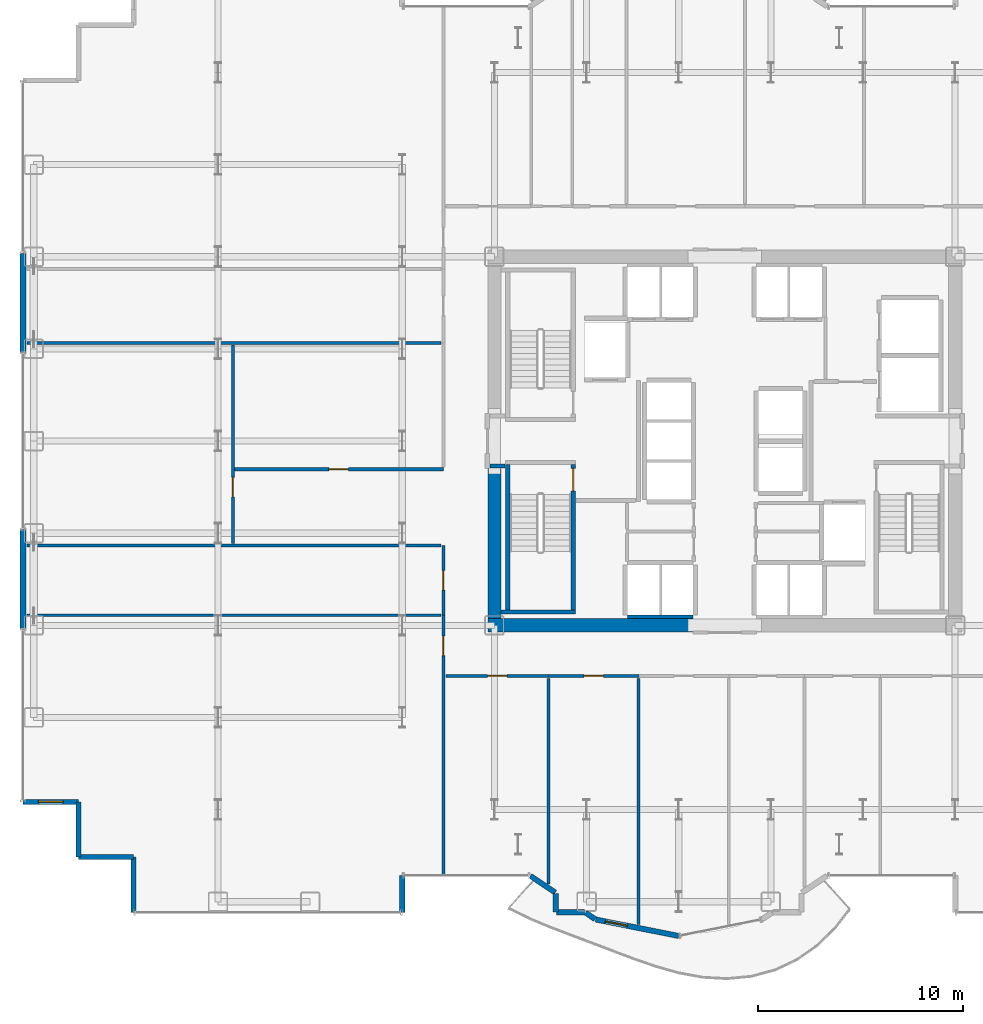
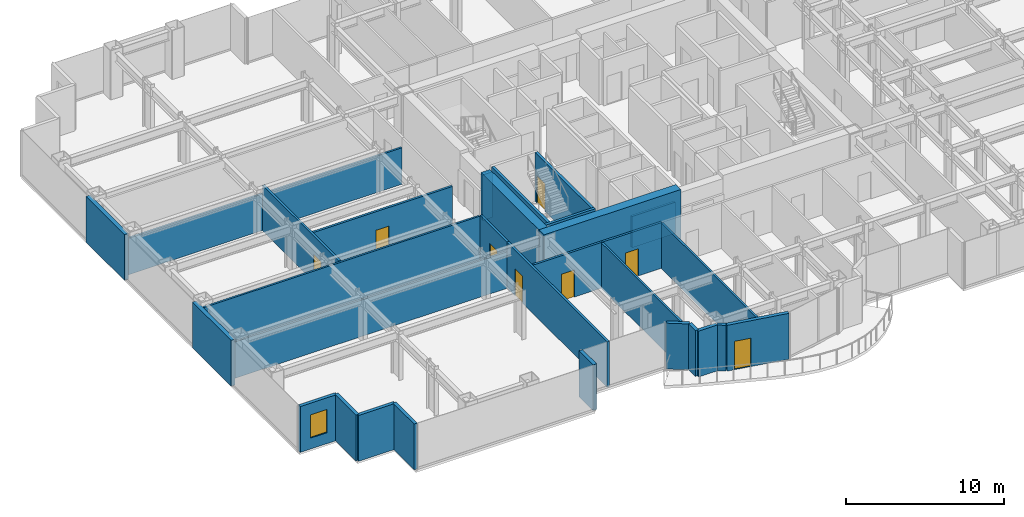
# One storey, part 22 of 29: 30 walls, 8 doors, 1 window, 9 openings.
"""IFC4 building model written with IfcOpenShell, lengths in metres."""

from ifc_helpers import new_model, si_unit, direction, frame, frame_2d, origin, place, context, subcontext, project, spatial, rectangle, extrude, source, transform, mapped, material, layer, layer_set, type_object, element, fill, save


model = new_model("IFC4")

# Units and contexts
model_context = context("Model", 3, precision=1e-05, world=origin(), true_north=direction((0.0, 1.0)))
body_context = subcontext(model_context, "Body", "Model", "MODEL_VIEW")
ifc_project = project(units=[si_unit("LENGTHUNIT", "METRE"), si_unit("AREAUNIT", "SQUARE_METRE"), si_unit("VOLUMEUNIT", "CUBIC_METRE"), si_unit("PLANEANGLEUNIT", "RADIAN"), si_unit("MASSUNIT", "GRAM", prefix="KILO")], contexts=[model_context])

# Site, building, storey
site_placement = place(None, origin())
site = spatial("IfcSite", under=ifc_project, at=site_placement, CompositionType="ELEMENT")
building_placement = place(site_placement, origin())
building = spatial("IfcBuilding", under=site, at=building_placement, Name="Nefas-Gora Pilgrimage Tower", CompositionType="ELEMENT")
storey_placement = place(building_placement, frame((0.0, 0.0, 44.39990234375)))
storey = spatial("IfcBuildingStorey", under=building, at=storey_placement, Name="L09", CompositionType="ELEMENT", Elevation=44.39990234375)

# Walls
ifc_material_1 = material(Name="Concrete C60/75", Category="concrete")
ifc_layer_1 = layer(ifc_material_1, 0.64990234375)
ifc_layer_set_1 = layer_set([ifc_layer_1], Name="Concrete C60/75")
wall_type_1 = type_object("IfcWallType", Name="SW-CORE-650", PredefinedType="SHEAR", material=ifc_layer_set_1)
shared_shape_1 = source(origin(), body_context, "Body", "SweptSolid", [
    extrude(rectangle(XDim=10.02490234375, YDim=0.64990234375, at=frame_2d((5.012451171875, 0.0))), origin(), (0.0, 0.0, 1.0), 3.800048828125),
])
wall_1_placement = place(storey_placement, frame((-11.574951171875, -9.0, 0.0), z_axis=(0.0, 0.0, 1.0), x_axis=(1.0, 0.0, 0.0)))
element("IfcWall", 1, at=wall_1_placement, inside=storey, type_object=wall_type_1, Name="L09 Core Shear Wall S-West", PredefinedType="SHEAR", context=body_context, shape_type="MappedRepresentation", body=[
    mapped(shared_shape_1, transform((0.0, 0.0, 0.0), x_axis=(1.0, 0.0, 0.0), y_axis=(0.0, 1.0, 0.0), z_axis=(0.0, 0.0, 1.0), scale=1.0)),
])
shared_shape_2 = source(origin(), body_context, "Body", "SweptSolid", [
    extrude(rectangle(XDim=7.324951171875, YDim=0.64990234375, at=frame_2d((3.66259765625, 0.0))), origin(), (0.0, 0.0, 1.0), 3.800048828125),
])
wall_2_placement = place(storey_placement, frame((-11.25, -8.675048828125, 0.0), z_axis=(0.0, 0.0, 1.0), x_axis=(0.0, 1.0, 0.0)))
element("IfcWall", 2, at=wall_2_placement, inside=storey, type_object=wall_type_1, Name="L09 Core Shear Wall W-South", PredefinedType="SHEAR", context=body_context, shape_type="MappedRepresentation", body=[
    mapped(shared_shape_2, transform((0.0, 0.0, 0.0), x_axis=(1.0, 0.0, 0.0), y_axis=(0.0, 1.0, 0.0), z_axis=(0.0, 0.0, 1.0), scale=1.0)),
])
ifc_material_2 = material(Name="Precast concrete C45/55", Category="concrete")
ifc_layer_2 = layer(ifc_material_2, 0.239990234375)
ifc_layer_set_2 = layer_set([ifc_layer_2], Name="Precast concrete C45/55")
wall_type_2 = type_object("IfcWallType", Name="EW-SERR-240", PredefinedType="SHEAR", material=ifc_layer_set_2)
shared_shape_3 = source(origin(), body_context, "Body", "SweptSolid", [
    extrude(rectangle(XDim=4.8798828125, YDim=0.300048828125, at=frame_2d((2.43994140625, 0.0))), origin(), (0.0, 0.0, 1.0), 3.550048828125),
])
for number, where, z_axis, x_axis, name in (
    (3, (-34.27001953125, -9.18994140625, 0.0), (0.0, 0.0, 1.0), (0.0, 1.0, 0.0), "L09 Braced-Tube Precast Shear Cladding 1"),
    (4, (-34.27001953125, 4.31005859375, 0.0), (0.0, 0.0, 1.0), (0.0, 1.0, 0.0), "L09 Braced-Tube Precast Shear Cladding 2"),
):
    element("IfcWall", number, at=place(storey_placement, frame(where, z_axis=z_axis, x_axis=x_axis)), inside=storey, type_object=wall_type_2, Name=name, PredefinedType="SHEAR", context=body_context, shape_type="MappedRepresentation", body=[
        mapped(shared_shape_3, transform((0.0, 0.0, 0.0), x_axis=(1.0, 0.0, 0.0), y_axis=(0.0, 1.0, 0.0), z_axis=(0.0, 0.0, 1.0), scale=1.0)),
    ])
ifc_material_3 = material(Name="Precast concrete C40/50", Category="concrete")
ifc_layer_3 = layer(ifc_material_3, 0.260009765625)
ifc_layer_set_3 = layer_set([ifc_layer_3], Name="Precast concrete C40/50")
wall_type_3 = type_object("IfcWallType", Name="EW-PORTAL-260", PredefinedType="SOLIDWALL", material=ifc_layer_set_3)
shared_shape_4 = source(origin(), body_context, "Body", "SweptSolid", [
    extrude(rectangle(XDim=1.800048828125, YDim=0.260009765625, at=frame_2d((0.89990234375, 0.0))), origin(), (0.0, 0.0, 1.0), 3.550048828125),
])
wall_3_placement = place(storey_placement, frame((-15.75, -23.02001953125, 0.0), z_axis=(0.0, 0.0, 1.0), x_axis=(0.0, 1.0, 0.0)))
element("IfcWall", 5, at=wall_3_placement, inside=storey, type_object=wall_type_3, Name="L09 Lobe Shoulder Precast Spandrel Pier 33", PredefinedType="SOLIDWALL", context=body_context, shape_type="MappedRepresentation", body=[
    mapped(shared_shape_4, transform((0.0, 0.0, 0.0), x_axis=(1.0, 0.0, 0.0), y_axis=(0.0, 1.0, 0.0), z_axis=(0.0, 0.0, 1.0), scale=1.0)),
])

# Wall, opening, window
shared_shape_5 = source(origin(), body_context, "Body", "SweptSolid", [
    extrude(rectangle(XDim=2.699951171875, YDim=0.239990234375, at=frame_2d((1.35009765625, 0.0))), origin(), (0.0, 0.0, 1.0), 3.550048828125),
])
wall_4_placement = place(storey_placement, frame((-34.27001953125, -17.6201171875, 0.0), z_axis=(0.0, 0.0, 1.0), x_axis=(1.0, 0.0, 0.0)))
wall_4 = element("IfcWall", 6, at=wall_4_placement, inside=storey, type_object=wall_type_2, Name="L09 Serrated Corner Shear Pier Wall 29", PredefinedType="SHEAR", context=body_context, shape_type="MappedRepresentation", body=[
    mapped(shared_shape_5, transform((0.0, 0.0, 0.0), x_axis=(1.0, 0.0, 0.0), y_axis=(0.0, 1.0, 0.0), z_axis=(0.0, 0.0, 1.0), scale=1.0)),
])
opening_1_placement = place(wall_4_placement, frame((0.75, 0.0, 0.85009765625)))
opening_1 = element("IfcOpeningElement", 7, at=opening_1_placement, cuts=wall_4, Name="Opening W-V1", PredefinedType="OPENING", context=body_context, shape_type="SweptSolid", body=[
    extrude(rectangle(XDim=1.199951171875, YDim=1.800048828125, at=frame_2d((0.60009765625, 0.89990234375))), frame((0.0, 0.1298828125, 0.0), z_axis=(0.0, -1.0, 0.0), x_axis=(1.0, 0.0, 0.0)), (0.0, 0.0, 1.0), 0.260009765625),
])
ifc_material_4 = material(Name="Dark ceramic-fritted operable aluminium-glass window", Category="aluminium")
window_type = type_object("IfcWindowType", Name="WIN-VENT-1200x1800", PartitioningType="SINGLE_PANEL", PredefinedType="WINDOW", material=ifc_material_4)
shared_shape_6 = source(origin(), body_context, "Body", "SweptSolid", [
    extrude(rectangle(XDim=1.199951171875, YDim=1.800048828125, at=frame_2d((0.60009765625, 0.89990234375))), frame((0.0, 0.030029296875, 0.0), z_axis=(0.0, -1.0, 0.0), x_axis=(1.0, 0.0, 0.0)), (0.0, 0.0, 1.0), 0.06005859375),
])
window_placement = place(opening_1_placement, origin())
window = element("IfcWindow", 8, at=window_placement, inside=storey, type_object=window_type, Name="L09 Operable Parallel-Outswing Window 29", OverallHeight=1.800048828125, OverallWidth=1.199951171875, PartitioningType="SINGLE_PANEL", PredefinedType="WINDOW", context=body_context, shape_type="MappedRepresentation", body=[
    mapped(shared_shape_6, transform((0.0, 0.0, 0.0), x_axis=(1.0, 0.0, 0.0), y_axis=(0.0, 1.0, 0.0), z_axis=(0.0, 0.0, 1.0), scale=1.0)),
])
fill(opening_1, window)

# Walls
for number, where, z_axis, x_axis, name in (
    (9, (-31.570068359375, -17.6201171875, 0.0), (0.0, 0.0, 1.0), (0.0, -1.0, 0.0), "L09 Serrated Corner Shear Pier Wall 30"),
    (10, (-31.570068359375, -20.320068359375, 0.0), (0.0, 0.0, 1.0), (1.0, 0.0, 0.0), "L09 Serrated Corner Shear Pier Wall 31"),
    (11, (-28.8701171875, -20.320068359375, 0.0), (0.0, 0.0, 1.0), (0.0, -1.0, 0.0), "L09 Serrated Corner Shear Pier Wall 32"),
):
    element("IfcWall", number, at=place(storey_placement, frame(where, z_axis=z_axis, x_axis=x_axis)), inside=storey, type_object=wall_type_2, Name=name, PredefinedType="SHEAR", context=body_context, shape_type="MappedRepresentation", body=[
        mapped(shared_shape_5, transform((0.0, 0.0, 0.0), x_axis=(1.0, 0.0, 0.0), y_axis=(0.0, 1.0, 0.0), z_axis=(0.0, 0.0, 1.0), scale=1.0)),
    ])
shared_shape_7 = source(origin(), body_context, "Body", "SweptSolid", [
    extrude(rectangle(XDim=1.468994140625, YDim=0.260009765625, at=frame_2d((0.734375, 0.0))), origin(), (0.0, 0.0, 1.0), 3.550048828125),
])
wall_5_placement = place(storey_placement, frame((-9.49462890625, -21.235595703125, 0.0), z_axis=(0.0, 0.0, 1.0), x_axis=(0.831461760506, -0.555581983884, 0.0)))
element("IfcWall", 12, at=wall_5_placement, inside=storey, type_object=wall_type_3, Name="L09 Lobe Shoulder Precast Spandrel Pier 34", PredefinedType="SOLIDWALL", context=body_context, shape_type="MappedRepresentation", body=[
    mapped(shared_shape_7, transform((0.0, 0.0, 0.0), x_axis=(1.0, 0.0, 0.0), y_axis=(0.0, 1.0, 0.0), z_axis=(0.0, 0.0, 1.0), scale=1.0)),
])
shared_shape_8 = source(origin(), body_context, "Body", "SweptSolid", [
    extrude(rectangle(XDim=0.896728515625, YDim=0.260009765625, at=frame_2d((0.4482421875, 0.0))), origin(), (0.0, 0.0, 1.0), 3.550048828125),
])
wall_6_placement = place(storey_placement, frame((-8.25, -22.09521484375, 0.0), z_axis=(0.0, 0.0, 1.0), x_axis=(0.0, -1.0, 0.0)))
element("IfcWall", 13, at=wall_6_placement, inside=storey, type_object=wall_type_3, Name="L09 Lobe Shoulder Precast Spandrel Pier 35", PredefinedType="SOLIDWALL", context=body_context, shape_type="MappedRepresentation", body=[
    mapped(shared_shape_8, transform((0.0, 0.0, 0.0), x_axis=(1.0, 0.0, 0.0), y_axis=(0.0, 1.0, 0.0), z_axis=(0.0, 0.0, 1.0), scale=1.0)),
])
shared_shape_9 = source(origin(), body_context, "Body", "SweptSolid", [
    extrude(rectangle(XDim=1.369873046875, YDim=0.260009765625, at=frame_2d((0.68505859375, 0.0))), origin(), (0.0, 0.0, 1.0), 3.550048828125),
])
wall_7_placement = place(storey_placement, frame((-8.221923828125, -23.02001953125, 0.0), z_axis=(0.0, 0.0, 1.0), x_axis=(1.0, 0.0, 0.0)))
element("IfcWall", 14, at=wall_7_placement, inside=storey, type_object=wall_type_3, Name="L09 Lobe Shoulder Precast Spandrel Pier 36", PredefinedType="SOLIDWALL", context=body_context, shape_type="MappedRepresentation", body=[
    mapped(shared_shape_9, transform((0.0, 0.0, 0.0), x_axis=(1.0, 0.0, 0.0), y_axis=(0.0, 1.0, 0.0), z_axis=(0.0, 0.0, 1.0), scale=1.0)),
])
shared_shape_10 = source(origin(), body_context, "Body", "SweptSolid", [
    extrude(rectangle(XDim=0.5654296875, YDim=0.260009765625, at=frame_2d((0.28271484375, 0.0))), origin(), (0.0, 0.0, 1.0), 3.550048828125),
])
wall_8_placement = place(storey_placement, frame((-6.80078125, -23.03564453125, 0.0), z_axis=(0.0, 0.0, 1.0), x_axis=(0.831651492666, -0.555297933317, 0.0)))
element("IfcWall", 15, at=wall_8_placement, inside=storey, type_object=wall_type_3, Name="L09 Lobe Shoulder Precast Spandrel Pier 37", PredefinedType="SOLIDWALL", context=body_context, shape_type="MappedRepresentation", body=[
    mapped(shared_shape_10, transform((0.0, 0.0, 0.0), x_axis=(1.0, 0.0, 0.0), y_axis=(0.0, 1.0, 0.0), z_axis=(0.0, 0.0, 1.0), scale=1.0)),
])

# Wall, opening, door
shared_shape_11 = source(origin(), body_context, "Body", "SweptSolid", [
    extrude(rectangle(XDim=4.136962890625, YDim=0.260009765625, at=frame_2d((2.068359375, 0.0))), origin(), (0.0, 0.0, 1.0), 3.550048828125),
])
wall_9_placement = place(storey_placement, frame((-6.307373046875, -23.365234375, 0.0), z_axis=(0.0, 0.0, 1.0), x_axis=(0.980782170794, -0.195105954428, 0.0)))
wall_9 = element("IfcWall", 16, at=wall_9_placement, inside=storey, type_object=wall_type_3, Name="L09 Insulated Terrace Portal Wall 38", PredefinedType="SOLIDWALL", context=body_context, shape_type="MappedRepresentation", body=[
    mapped(shared_shape_11, transform((0.0, 0.0, 0.0), x_axis=(1.0, 0.0, 0.0), y_axis=(0.0, 1.0, 0.0), z_axis=(0.0, 0.0, 1.0), scale=1.0)),
])
opening_2_placement = place(wall_9_placement, frame((0.48779296875, 0.0, 0.0)))
opening_2 = element("IfcOpeningElement", 17, at=opening_2_placement, cuts=wall_9, Name="Opening ED-B1", PredefinedType="OPENING", context=body_context, shape_type="SweptSolid", body=[
    extrude(rectangle(XDim=1.10009765625, YDim=2.199951171875, at=frame_2d((0.550048828125, 1.10009765625))), frame((0.0, 0.139892578125, 0.0), z_axis=(0.0, -1.0, 0.0), x_axis=(1.0, 0.0, 0.0)), (0.0, 0.0, 1.0), 0.280029296875),
])
ifc_material_5 = material(Name="Thermally broken glazed aluminium balcony door", Category="aluminium")
door_type_1 = type_object("IfcDoorType", Name="DR-EXT-BAL-1100", OperationType="NOTDEFINED", PredefinedType="DOOR", material=ifc_material_5)
shared_shape_12 = source(origin(), body_context, "Body", "SweptSolid", [
    extrude(rectangle(XDim=1.10009765625, YDim=2.199951171875, at=frame_2d((0.550048828125, 1.10009765625))), frame((0.0, 0.02490234375, 0.0), z_axis=(0.0, -1.0, 0.0), x_axis=(1.0, 0.0, 0.0)), (0.0, 0.0, 1.0), 0.050048828125),
])
door_1_placement = place(opening_2_placement, origin())
door_1 = element("IfcDoor", 18, at=door_1_placement, inside=storey, type_object=door_type_1, Name="L09 Exterior Door (L09 S Lobe Wave Balcony)", OperationType="SINGLE_SWING_RIGHT", OverallHeight=2.199951171875, OverallWidth=1.10009765625, PredefinedType="DOOR", context=body_context, shape_type="MappedRepresentation", body=[
    mapped(shared_shape_12, transform((0.0, 0.0, 0.0), x_axis=(1.0, 0.0, 0.0), y_axis=(0.0, 1.0, 0.0), z_axis=(0.0, 0.0, 1.0), scale=1.0)),
])
fill(opening_2, door_1)

# Walls
ifc_material_6 = material(Name="Concrete C45/55", Category="concrete")
ifc_layer_4 = layer(ifc_material_6, 0.199951171875)
ifc_layer_set_4 = layer_set([ifc_layer_4], Name="Concrete C45/55")
wall_type_4 = type_object("IfcWallType", Name="IW-STAIR-200", PredefinedType="SOLIDWALL", material=ifc_layer_set_4)
shared_shape_13 = source(origin(), body_context, "Body", "SweptSolid", [
    extrude(rectangle(XDim=3.6298828125, YDim=0.199951171875, at=frame_2d((1.81494140625, 0.0))), origin(), (0.0, 0.0, 1.0), 3.800048828125),
])
wall_10_placement = place(storey_placement, frame((-10.929931640625, -8.35009765625, 0.0), z_axis=(0.0, 0.0, 1.0), x_axis=(1.0, 0.0, 0.0)))
element("IfcWall", 19, at=wall_10_placement, inside=storey, type_object=wall_type_4, Name="L09 Stairwell Shear Wall ST-03-far", PredefinedType="SOLIDWALL", context=body_context, shape_type="MappedRepresentation", body=[
    mapped(shared_shape_13, transform((0.0, 0.0, 0.0), x_axis=(1.0, 0.0, 0.0), y_axis=(0.0, 1.0, 0.0), z_axis=(0.0, 0.0, 1.0), scale=1.0)),
])
shared_shape_14 = source(origin(), body_context, "Body", "SweptSolid", [
    extrude(rectangle(XDim=7.10009765625, YDim=0.199951171875, at=frame_2d((3.550048828125, 0.0))), origin(), (0.0, 0.0, 1.0), 3.800048828125),
])
wall_11_placement = place(storey_placement, frame((-10.60009765625, -1.14990234375, 0.0), z_axis=(0.0, 0.0, 1.0), x_axis=(0.0, -1.0, 0.0)))
element("IfcWall", 20, at=wall_11_placement, inside=storey, type_object=wall_type_4, Name="L09 Stairwell Shear Wall ST-03-left", PredefinedType="SOLIDWALL", context=body_context, shape_type="MappedRepresentation", body=[
    mapped(shared_shape_14, transform((0.0, 0.0, 0.0), x_axis=(1.0, 0.0, 0.0), y_axis=(0.0, 1.0, 0.0), z_axis=(0.0, 0.0, 1.0), scale=1.0)),
])

# Wall, opening, door
wall_12_placement = place(storey_placement, frame((-7.39990234375, -1.14990234375, 0.0), z_axis=(0.0, 0.0, 1.0), x_axis=(0.0, -1.0, 0.0)))
wall_12 = element("IfcWall", 21, at=wall_12_placement, inside=storey, type_object=wall_type_4, Name="L09 Stairwell Shear Wall ST-03-right", PredefinedType="SOLIDWALL", context=body_context, shape_type="MappedRepresentation", body=[
    mapped(shared_shape_14, transform((0.0, 0.0, 0.0), x_axis=(1.0, 0.0, 0.0), y_axis=(0.0, 1.0, 0.0), z_axis=(0.0, 0.0, 1.0), scale=1.0)),
])
opening_3_placement = place(wall_12_placement, frame((0.179931640625, 0.0, 0.0)))
opening_3 = element("IfcOpeningElement", 22, at=opening_3_placement, cuts=wall_12, Name="Opening ID-ST1", PredefinedType="OPENING", context=body_context, shape_type="SweptSolid", body=[
    extrude(rectangle(XDim=1.10009765625, YDim=2.14990234375, at=frame_2d((0.550048828125, 1.074951171875))), frame((0.0, 0.10986328125, 0.0), z_axis=(0.0, -1.0, 0.0), x_axis=(1.0, 0.0, 0.0)), (0.0, 0.0, 1.0), 0.219970703125),
])
ifc_material_7 = material(Name="Painted galvanised steel fire stair door", Category="steel")
door_type_2 = type_object("IfcDoorType", Name="DR-INT-STAIR-1100", OperationType="NOTDEFINED", PredefinedType="DOOR", material=ifc_material_7)
shared_shape_15 = source(origin(), body_context, "Body", "SweptSolid", [
    extrude(rectangle(XDim=1.10009765625, YDim=2.14990234375, at=frame_2d((0.550048828125, 1.074951171875))), frame((0.0, 0.02490234375, 0.0), z_axis=(0.0, -1.0, 0.0), x_axis=(1.0, 0.0, 0.0)), (0.0, 0.0, 1.0), 0.050048828125),
])
door_2_placement = place(opening_3_placement, origin())
door_2 = element("IfcDoor", 23, at=door_2_placement, inside=storey, type_object=door_type_2, Name="L09 Protected Exit Stair Door ST-03", OperationType="SINGLE_SWING_LEFT", OverallHeight=2.14990234375, OverallWidth=1.10009765625, PredefinedType="DOOR", context=body_context, shape_type="MappedRepresentation", body=[
    mapped(shared_shape_15, transform((0.0, 0.0, 0.0), x_axis=(1.0, 0.0, 0.0), y_axis=(0.0, 1.0, 0.0), z_axis=(0.0, 0.0, 1.0), scale=1.0)),
])
fill(opening_3, door_2)

# Walls
ifc_material_8 = material(Name="Gypsum acoustic stud partition")
ifc_layer_5 = layer(ifc_material_8, 0.159912109375)
ifc_layer_set_5 = layer_set([ifc_layer_5], Name="Gypsum acoustic stud partition")
wall_type_5 = type_object("IfcWallType", Name="IW-CORR-160", PredefinedType="PARTITIONING", material=ifc_layer_set_5)
shared_shape_16 = source(origin(), body_context, "Body", "SweptSolid", [
    extrude(rectangle(XDim=3.199951171875, YDim=0.159912109375, at=frame_2d((1.60009765625, 0.0))), origin(), (0.0, 0.0, 1.0), 2.425048828125),
])
wall_13_placement = place(storey_placement, frame((-4.75, -8.580078125, 0.0), z_axis=(0.0, 0.0, 1.0), x_axis=(1.0, 0.0, 0.0)))
element("IfcWall", 24, at=wall_13_placement, inside=storey, type_object=wall_type_5, Name="L09 Hoistway Wall PL2-W-S", PredefinedType="PARTITIONING", context=body_context, shape_type="MappedRepresentation", body=[
    mapped(shared_shape_16, transform((0.0, 0.0, 0.0), x_axis=(1.0, 0.0, 0.0), y_axis=(0.0, 1.0, 0.0), z_axis=(0.0, 0.0, 1.0), scale=1.0)),
])
ifc_material_9 = material(Name="Gypsum fire-rated shaftwall")
ifc_layer_6 = layer(ifc_material_9, 0.199951171875)
ifc_layer_set_6 = layer_set([ifc_layer_6], Name="Gypsum fire-rated shaftwall")
wall_type_6 = type_object("IfcWallType", Name="IW-FFLOB-200", PredefinedType="PARTITIONING", material=ifc_layer_set_6)
shared_shape_17 = source(origin(), body_context, "Body", "SweptSolid", [
    extrude(rectangle(XDim=0.719970703125, YDim=0.199951171875, at=frame_2d((0.35986328125, 0.0))), origin(), (0.0, 0.0, 1.0), 3.53515625),
])
wall_14_placement = place(storey_placement, frame((-11.4599609375, -1.219970703125, 0.0), z_axis=(0.0, 0.0, 1.0), x_axis=(1.0, 0.0, 0.0)))
element("IfcWall", 25, at=wall_14_placement, inside=storey, type_object=wall_type_6, Name="L09 FF Lobby West Throat S Wall 7", PredefinedType="PARTITIONING", context=body_context, shape_type="MappedRepresentation", body=[
    mapped(shared_shape_17, transform((0.0, 0.0, 0.0), x_axis=(1.0, 0.0, 0.0), y_axis=(0.0, 1.0, 0.0), z_axis=(0.0, 0.0, 1.0), scale=1.0)),
])

# Wall, opening, door
shared_shape_18 = source(origin(), body_context, "Body", "SweptSolid", [
    extrude(rectangle(XDim=12.744873046875, YDim=0.159912109375, at=frame_2d((6.37255859375, 0.0))), origin(), (0.0, 0.0, 1.0), 3.53515625),
])
wall_15_placement = place(storey_placement, frame((-13.739990234375, -21.239990234375, 0.0), z_axis=(0.0, 0.0, 1.0), x_axis=(0.0, 1.0, 0.0)))
wall_15 = element("IfcWall", 26, at=wall_15_placement, inside=storey, type_object=wall_type_5, Name="L09 Pilgrim Tea and Beverage Pantry Partition Wall 28", PredefinedType="PARTITIONING", context=body_context, shape_type="MappedRepresentation", body=[
    mapped(shared_shape_18, transform((0.0, 0.0, 0.0), x_axis=(1.0, 0.0, 0.0), y_axis=(0.0, 1.0, 0.0), z_axis=(0.0, 0.0, 1.0), scale=1.0)),
])
opening_4_placement = place(wall_15_placement, frame((10.762451171875, 0.0, 0.0)))
opening_4 = element("IfcOpeningElement", 27, at=opening_4_placement, cuts=wall_15, Name="Opening ID-GR1", PredefinedType="OPENING", context=body_context, shape_type="SweptSolid", body=[
    extrude(rectangle(XDim=0.949951171875, YDim=2.10009765625, at=frame_2d((0.47509765625, 1.050048828125))), frame((0.0, 0.08984375, 0.0), z_axis=(0.0, -1.0, 0.0), x_axis=(1.0, 0.0, 0.0)), (0.0, 0.0, 1.0), 0.179931640625),
])
ifc_material_10 = material(Name="Solid core oak fire-rated guest entrance door")
door_type_3 = type_object("IfcDoorType", Name="DR-INT-GUEST-950", OperationType="NOTDEFINED", PredefinedType="DOOR", material=ifc_material_10)
shared_shape_19 = source(origin(), body_context, "Body", "SweptSolid", [
    extrude(rectangle(XDim=0.949951171875, YDim=2.10009765625, at=frame_2d((0.47509765625, 1.050048828125))), frame((0.0, 0.02490234375, 0.0), z_axis=(0.0, -1.0, 0.0), x_axis=(1.0, 0.0, 0.0)), (0.0, 0.0, 1.0), 0.050048828125),
])
door_3_placement = place(opening_4_placement, origin())
door_3 = element("IfcDoor", 28, at=door_3_placement, inside=storey, type_object=door_type_3, Name="L09 Pilgrim Tea and Beverage Pantry Door 11", OperationType="SINGLE_SWING_RIGHT", OverallHeight=2.10009765625, OverallWidth=0.949951171875, PredefinedType="DOOR", context=body_context, shape_type="MappedRepresentation", body=[
    mapped(shared_shape_19, transform((0.0, 0.0, 0.0), x_axis=(1.0, 0.0, 0.0), y_axis=(0.0, 1.0, 0.0), z_axis=(0.0, 0.0, 1.0), scale=1.0)),
])
fill(opening_4, door_3)

# Wall
ifc_material_11 = material(Name="Gypsum twin-stud partition")
ifc_layer_7 = layer(ifc_material_11, 0.139892578125)
ifc_layer_set_7 = layer_set([ifc_layer_7], Name="Gypsum twin-stud partition")
wall_type_7 = type_object("IfcWallType", Name="IW-UNIT-140", PredefinedType="PARTITIONING", material=ifc_layer_set_7)
shared_shape_20 = source(origin(), body_context, "Body", "SweptSolid", [
    extrude(rectangle(XDim=20.219970703125, YDim=0.139892578125, at=frame_2d((10.10986328125, 0.0))), origin(), (0.0, 0.0, 1.0), 2.8251953125),
])
wall_16_placement = place(storey_placement, frame((-34.080078125, -8.5048828125, 0.0), z_axis=(0.0, 0.0, 1.0), x_axis=(1.0, 0.0, 0.0)))
element("IfcWall", 29, at=wall_16_placement, inside=storey, type_object=wall_type_7, Name="L09 Pilgrim Tea and Beverage Pantry Partition Wall 29", PredefinedType="PARTITIONING", context=body_context, shape_type="MappedRepresentation", body=[
    mapped(shared_shape_20, transform((0.0, 0.0, 0.0), x_axis=(1.0, 0.0, 0.0), y_axis=(0.0, 1.0, 0.0), z_axis=(0.0, 0.0, 1.0), scale=1.0)),
])

# Wall, opening, door
shared_shape_21 = source(origin(), body_context, "Body", "SweptSolid", [
    extrude(rectangle(XDim=3.409912109375, YDim=0.159912109375, at=frame_2d((1.705078125, 0.0))), origin(), (0.0, 0.0, 1.0), 3.53515625),
])
wall_17_placement = place(storey_placement, frame((-13.739990234375, -8.5048828125, 0.0), z_axis=(0.0, 0.0, 1.0), x_axis=(0.0, 1.0, 0.0)))
wall_17 = element("IfcWall", 30, at=wall_17_placement, inside=storey, type_object=wall_type_5, Name="L09 Pilgrim Fellowship Seminar Room Partition Wall 30", PredefinedType="PARTITIONING", context=body_context, shape_type="MappedRepresentation", body=[
    mapped(shared_shape_21, transform((0.0, 0.0, 0.0), x_axis=(1.0, 0.0, 0.0), y_axis=(0.0, 1.0, 0.0), z_axis=(0.0, 0.0, 1.0), scale=1.0)),
])
opening_5_placement = place(wall_17_placement, frame((1.22998046875, 0.0, 0.0)))
opening_5 = element("IfcOpeningElement", 31, at=opening_5_placement, cuts=wall_17, Name="Opening ID-GR1", PredefinedType="OPENING", context=body_context, shape_type="SweptSolid", body=[
    extrude(rectangle(XDim=0.949951171875, YDim=2.10009765625, at=frame_2d((0.47509765625, 1.050048828125))), frame((0.0, 0.08984375, 0.0), z_axis=(0.0, -1.0, 0.0), x_axis=(1.0, 0.0, 0.0)), (0.0, 0.0, 1.0), 0.179931640625),
])
door_4_placement = place(opening_5_placement, origin())
door_4 = element("IfcDoor", 32, at=door_4_placement, inside=storey, type_object=door_type_3, Name="L09 Pilgrim Fellowship Seminar Room Door 12", OperationType="SINGLE_SWING_LEFT", OverallHeight=2.10009765625, OverallWidth=0.949951171875, PredefinedType="DOOR", context=body_context, shape_type="MappedRepresentation", body=[
    mapped(shared_shape_19, transform((0.0, 0.0, 0.0), x_axis=(1.0, 0.0, 0.0), y_axis=(0.0, 1.0, 0.0), z_axis=(0.0, 0.0, 1.0), scale=1.0)),
])
fill(opening_5, door_4)

# Wall
shared_shape_22 = source(origin(), body_context, "Body", "SweptSolid", [
    extrude(rectangle(XDim=20.219970703125, YDim=0.139892578125, at=frame_2d((10.10986328125, 0.0))), origin(), (0.0, 0.0, 1.0), 3.53515625),
])
wall_18_placement = place(storey_placement, frame((-34.080078125, -5.10498046875, 0.0), z_axis=(0.0, 0.0, 1.0), x_axis=(1.0, 0.0, 0.0)))
element("IfcWall", 33, at=wall_18_placement, inside=storey, type_object=wall_type_7, Name="L09 Pilgrim Fellowship Seminar Room Partition Wall 31", PredefinedType="PARTITIONING", context=body_context, shape_type="MappedRepresentation", body=[
    mapped(shared_shape_22, transform((0.0, 0.0, 0.0), x_axis=(1.0, 0.0, 0.0), y_axis=(0.0, 1.0, 0.0), z_axis=(0.0, 0.0, 1.0), scale=1.0)),
])

# Wall, opening, door
shared_shape_23 = source(origin(), body_context, "Body", "SweptSolid", [
    extrude(rectangle(XDim=10.25, YDim=0.159912109375, at=frame_2d((5.125, 0.0))), origin(), (0.0, 0.0, 1.0), 3.53515625),
])
wall_19_placement = place(storey_placement, frame((-23.97998046875, -1.3798828125, 0.0), z_axis=(0.0, 0.0, 1.0), x_axis=(1.0, 0.0, 0.0)))
wall_19 = element("IfcWall", 34, at=wall_19_placement, inside=storey, type_object=wall_type_5, Name="L09 Pilgrim Fellowship Seminar Room Partition Wall 32", PredefinedType="PARTITIONING", context=body_context, shape_type="MappedRepresentation", body=[
    mapped(shared_shape_23, transform((0.0, 0.0, 0.0), x_axis=(1.0, 0.0, 0.0), y_axis=(0.0, 1.0, 0.0), z_axis=(0.0, 0.0, 1.0), scale=1.0)),
])
opening_6_placement = place(wall_19_placement, frame((4.64990234375, 0.0, 0.0)))
opening_6 = element("IfcOpeningElement", 35, at=opening_6_placement, cuts=wall_19, Name="Opening ID-GR1", PredefinedType="OPENING", context=body_context, shape_type="SweptSolid", body=[
    extrude(rectangle(XDim=0.949951171875, YDim=2.10009765625, at=frame_2d((0.47509765625, 1.050048828125))), frame((0.0, 0.08984375, 0.0), z_axis=(0.0, -1.0, 0.0), x_axis=(1.0, 0.0, 0.0)), (0.0, 0.0, 1.0), 0.179931640625),
])
door_5_placement = place(opening_6_placement, origin())
door_5 = element("IfcDoor", 36, at=door_5_placement, inside=storey, type_object=door_type_3, Name="L09 Pilgrim Fellowship Seminar Room Door 13", OperationType="SINGLE_SWING_RIGHT", OverallHeight=2.10009765625, OverallWidth=0.949951171875, PredefinedType="DOOR", context=body_context, shape_type="MappedRepresentation", body=[
    mapped(shared_shape_19, transform((0.0, 0.0, 0.0), x_axis=(1.0, 0.0, 0.0), y_axis=(0.0, 1.0, 0.0), z_axis=(0.0, 0.0, 1.0), scale=1.0)),
])
fill(opening_6, door_5)

# Wall
shared_shape_24 = source(origin(), body_context, "Body", "SweptSolid", [
    extrude(rectangle(XDim=20.22998046875, YDim=0.139892578125, at=frame_2d((10.114990234375, 0.0))), origin(), (0.0, 0.0, 1.0), 2.8251953125),
])
wall_20_placement = place(storey_placement, frame((-34.080078125, 4.794921875, 0.0), z_axis=(0.0, 0.0, 1.0), x_axis=(1.0, 0.0, 0.0)))
element("IfcWall", 37, at=wall_20_placement, inside=storey, type_object=wall_type_7, Name="L09 Pilgrim Fellowship Seminar Room Partition Wall 34", PredefinedType="PARTITIONING", context=body_context, shape_type="MappedRepresentation", body=[
    mapped(shared_shape_24, transform((0.0, 0.0, 0.0), x_axis=(1.0, 0.0, 0.0), y_axis=(0.0, 1.0, 0.0), z_axis=(0.0, 0.0, 1.0), scale=1.0)),
])

# Wall, opening, door
shared_shape_25 = source(origin(), body_context, "Body", "SweptSolid", [
    extrude(rectangle(XDim=9.68017578125, YDim=0.159912109375, at=frame_2d((4.840087890625, 0.0))), origin(), (0.0, 0.0, 1.0), 3.53515625),
])
wall_21_placement = place(storey_placement, frame((-24.02001953125, -4.9951171875, 0.0), z_axis=(0.0, 0.0, 1.0), x_axis=(0.0, 1.0, 0.0)))
wall_21 = element("IfcWall", 38, at=wall_21_placement, inside=storey, type_object=wall_type_5, Name="L09 Pilgrim Fellowship Seminar Room Partition Wall 35", PredefinedType="PARTITIONING", context=body_context, shape_type="MappedRepresentation", body=[
    mapped(shared_shape_25, transform((0.0, 0.0, 0.0), x_axis=(1.0, 0.0, 0.0), y_axis=(0.0, 1.0, 0.0), z_axis=(0.0, 0.0, 1.0), scale=1.0)),
])
opening_7_placement = place(wall_21_placement, frame((2.27001953125, 0.0, 0.0)))
opening_7 = element("IfcOpeningElement", 39, at=opening_7_placement, cuts=wall_21, Name="Opening ID-GR1", PredefinedType="OPENING", context=body_context, shape_type="SweptSolid", body=[
    extrude(rectangle(XDim=0.949951171875, YDim=2.10009765625, at=frame_2d((0.47509765625, 1.050048828125))), frame((0.0, 0.08984375, 0.0), z_axis=(0.0, -1.0, 0.0), x_axis=(1.0, 0.0, 0.0)), (0.0, 0.0, 1.0), 0.179931640625),
])
door_6_placement = place(opening_7_placement, origin())
door_6 = element("IfcDoor", 40, at=door_6_placement, inside=storey, type_object=door_type_3, Name="L09 Pilgrim Fellowship Seminar Room Door 14", OperationType="SINGLE_SWING_LEFT", OverallHeight=2.10009765625, OverallWidth=0.949951171875, PredefinedType="DOOR", context=body_context, shape_type="MappedRepresentation", body=[
    mapped(shared_shape_19, transform((0.0, 0.0, 0.0), x_axis=(1.0, 0.0, 0.0), y_axis=(0.0, 1.0, 0.0), z_axis=(0.0, 0.0, 1.0), scale=1.0)),
])
fill(opening_7, door_6)

shared_shape_26 = source(origin(), body_context, "Body", "SweptSolid", [
    extrude(rectangle(XDim=5.025146484375, YDim=0.159912109375, at=frame_2d((2.5126953125, 0.0))), origin(), (0.0, 0.0, 1.0), 3.53515625),
])
wall_22_placement = place(storey_placement, frame((-13.6201171875, -11.469970703125, 0.0), z_axis=(0.0, 0.0, 1.0), x_axis=(1.0, 0.0, 0.0)))
wall_22 = element("IfcWall", 41, at=wall_22_placement, inside=storey, type_object=wall_type_5, Name="L09 Pilgrim Contemplative Lounge Partition Wall 57", PredefinedType="PARTITIONING", context=body_context, shape_type="MappedRepresentation", body=[
    mapped(shared_shape_26, transform((0.0, 0.0, 0.0), x_axis=(1.0, 0.0, 0.0), y_axis=(0.0, 1.0, 0.0), z_axis=(0.0, 0.0, 1.0), scale=1.0)),
])
opening_8_placement = place(wall_22_placement, frame((2.03759765625, 0.0, 0.0)))
opening_8 = element("IfcOpeningElement", 42, at=opening_8_placement, cuts=wall_22, Name="Opening ID-GR1", PredefinedType="OPENING", context=body_context, shape_type="SweptSolid", body=[
    extrude(rectangle(XDim=0.949951171875, YDim=2.10009765625, at=frame_2d((0.47509765625, 1.050048828125))), frame((0.0, 0.08984375, 0.0), z_axis=(0.0, -1.0, 0.0), x_axis=(1.0, 0.0, 0.0)), (0.0, 0.0, 1.0), 0.179931640625),
])
door_7_placement = place(opening_8_placement, origin())
door_7 = element("IfcDoor", 43, at=door_7_placement, inside=storey, type_object=door_type_3, Name="L09 Pilgrim Contemplative Lounge Door 27", OperationType="SINGLE_SWING_RIGHT", OverallHeight=2.10009765625, OverallWidth=0.949951171875, PredefinedType="DOOR", context=body_context, shape_type="MappedRepresentation", body=[
    mapped(shared_shape_19, transform((0.0, 0.0, 0.0), x_axis=(1.0, 0.0, 0.0), y_axis=(0.0, 1.0, 0.0), z_axis=(0.0, 0.0, 1.0), scale=1.0)),
])
fill(opening_8, door_7)

# Wall
shared_shape_27 = source(origin(), body_context, "Body", "SweptSolid", [
    extrude(rectangle(XDim=10.037841796875, YDim=0.139892578125, at=frame_2d((5.01904296875, 0.0))), origin(), (0.0, 0.0, 1.0), 3.53515625),
])
wall_23_placement = place(storey_placement, frame((-8.60498046875, -21.6279296875, 0.0), z_axis=(0.0, 0.0, 1.0), x_axis=(0.0, 1.0, 0.0)))
element("IfcWall", 44, at=wall_23_placement, inside=storey, type_object=wall_type_7, Name="L09 Pilgrim Contemplative Lounge Partition Wall 58", PredefinedType="PARTITIONING", context=body_context, shape_type="MappedRepresentation", body=[
    mapped(shared_shape_27, transform((0.0, 0.0, 0.0), x_axis=(1.0, 0.0, 0.0), y_axis=(0.0, 1.0, 0.0), z_axis=(0.0, 0.0, 1.0), scale=1.0)),
])

# Wall, opening, door
shared_shape_28 = source(origin(), body_context, "Body", "SweptSolid", [
    extrude(rectangle(XDim=4.405029296875, YDim=0.159912109375, at=frame_2d((2.20263671875, 0.0))), origin(), (0.0, 0.0, 1.0), 3.53515625),
])
wall_24_placement = place(storey_placement, frame((-8.60498046875, -11.469970703125, 0.0), z_axis=(0.0, 0.0, 1.0), x_axis=(1.0, 0.0, 0.0)))
wall_24 = element("IfcWall", 45, at=wall_24_placement, inside=storey, type_object=wall_type_5, Name="L09 Pilgrim Contemplative Lounge Partition Wall 59", PredefinedType="PARTITIONING", context=body_context, shape_type="MappedRepresentation", body=[
    mapped(shared_shape_28, transform((0.0, 0.0, 0.0), x_axis=(1.0, 0.0, 0.0), y_axis=(0.0, 1.0, 0.0), z_axis=(0.0, 0.0, 1.0), scale=1.0)),
])
opening_9_placement = place(wall_24_placement, frame((1.7275390625, 0.0, 0.0)))
opening_9 = element("IfcOpeningElement", 46, at=opening_9_placement, cuts=wall_24, Name="Opening ID-GR1", PredefinedType="OPENING", context=body_context, shape_type="SweptSolid", body=[
    extrude(rectangle(XDim=0.949951171875, YDim=2.10009765625, at=frame_2d((0.47509765625, 1.050048828125))), frame((0.0, 0.08984375, 0.0), z_axis=(0.0, -1.0, 0.0), x_axis=(1.0, 0.0, 0.0)), (0.0, 0.0, 1.0), 0.179931640625),
])
door_8_placement = place(opening_9_placement, origin())
door_8 = element("IfcDoor", 47, at=door_8_placement, inside=storey, type_object=door_type_3, Name="L09 Pilgrim Contemplative Lounge Door 28", OperationType="SINGLE_SWING_LEFT", OverallHeight=2.10009765625, OverallWidth=0.949951171875, PredefinedType="DOOR", context=body_context, shape_type="MappedRepresentation", body=[
    mapped(shared_shape_19, transform((0.0, 0.0, 0.0), x_axis=(1.0, 0.0, 0.0), y_axis=(0.0, 1.0, 0.0), z_axis=(0.0, 0.0, 1.0), scale=1.0)),
])
fill(opening_9, door_8)

# Wall
shared_shape_29 = source(origin(), body_context, "Body", "SweptSolid", [
    extrude(rectangle(XDim=12.019287109375, YDim=0.139892578125, at=frame_2d((6.009765625, 0.0))), origin(), (0.0, 0.0, 1.0), 3.53515625),
])
wall_25_placement = place(storey_placement, frame((-4.2099609375, -23.609375, 0.0), z_axis=(0.0, 0.0, 1.0), x_axis=(0.0, 1.0, 0.0)))
element("IfcWall", 48, at=wall_25_placement, inside=storey, type_object=wall_type_7, Name="L09 Pilgrim Contemplative Lounge Partition Wall 60", PredefinedType="PARTITIONING", context=body_context, shape_type="MappedRepresentation", body=[
    mapped(shared_shape_29, transform((0.0, 0.0, 0.0), x_axis=(1.0, 0.0, 0.0), y_axis=(0.0, 1.0, 0.0), z_axis=(0.0, 0.0, 1.0), scale=1.0)),
])

save(model, "model.ifc")
